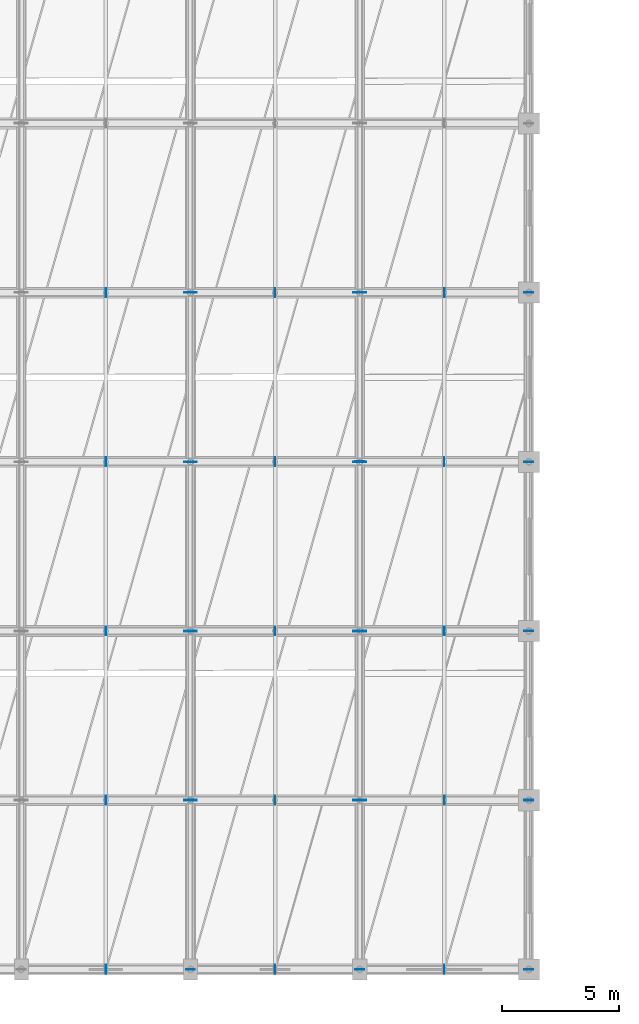
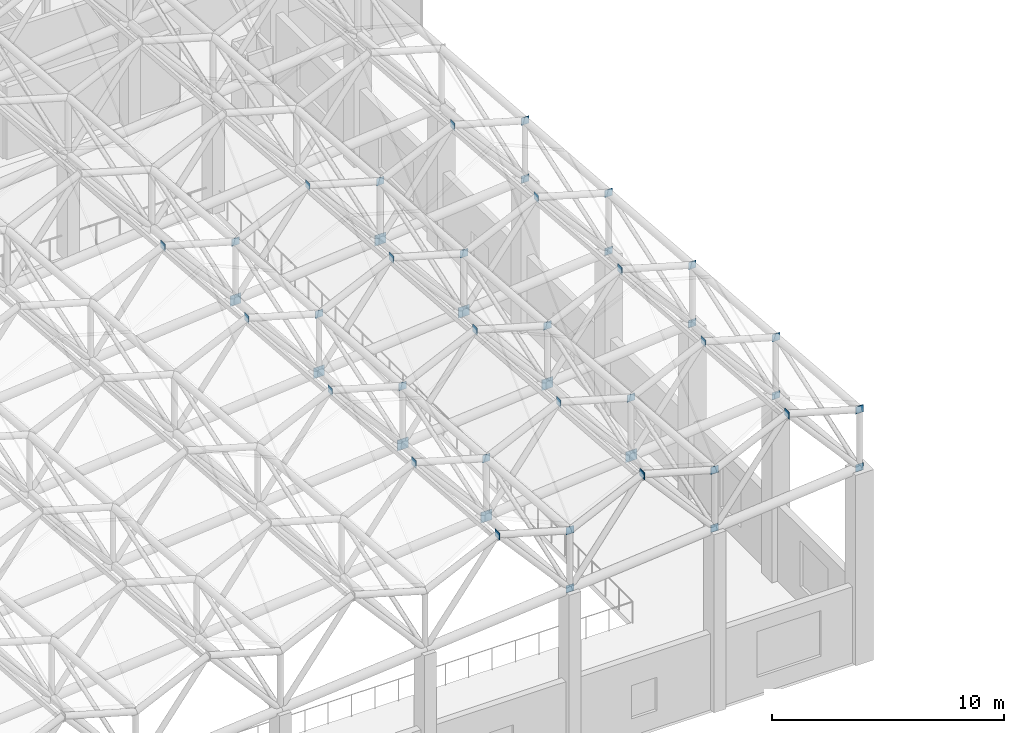
# One storey, part 80 of 113: 45 plates.
"""IFC4 building model written with IfcOpenShell, lengths in metres."""

from ifc_helpers import new_model, si_unit, direction, frame, origin, origin_2d, place, context, subcontext, project, spatial, rectangle, extrude, material, layer, layer_set, type_object, element, save


model = new_model("IFC4")

# Units and contexts
model_context = context("Model", 3, precision=1e-05, world=origin(), true_north=direction((0.0, 1.0)))
body_context = subcontext(model_context, "Body", "Model", "MODEL_VIEW")
ifc_project = project(units=[si_unit("LENGTHUNIT", "METRE"), si_unit("AREAUNIT", "SQUARE_METRE"), si_unit("VOLUMEUNIT", "CUBIC_METRE"), si_unit("PLANEANGLEUNIT", "RADIAN"), si_unit("MASSUNIT", "GRAM", prefix="KILO")], contexts=[model_context])

# Site, building, storey
site_placement = place(None, origin())
site = spatial("IfcSite", under=ifc_project, at=site_placement, CompositionType="ELEMENT")
building_placement = place(site_placement, origin())
building = spatial("IfcBuilding", under=site, at=building_placement, Name="Carrowvane Square Congress Hotel", CompositionType="ELEMENT")
storey_placement = place(building_placement, frame((0.0, 0.0, 15.0)))
storey = spatial("IfcBuildingStorey", under=building, at=storey_placement, Name="L03", CompositionType="ELEMENT", Elevation=15.0)

# Plates
ifc_material_1 = material(Name="Steel S355", Category="steel")
ifc_layer_1 = layer(ifc_material_1, 0.02001953125)
ifc_layer_set_1 = layer_set([ifc_layer_1], Name="Steel S355")
plate_type_1 = type_object("IfcPlateType", Name="PLT-GUS-20", PredefinedType="SHEET", material=ifc_layer_set_1)
for number, where, z_axis, x_axis, name in (
    (1, (47.60009765625, 27.0, 6.71630859375), (0.0, 0.0, 1.0), (1.0, 0.0, 0.0), "Space-frame truss node gusset SN-27"),
    (2, (54.800048828125, 27.0, 7.37353515625), (0.0, 0.0, 1.0), (1.0, 0.0, 0.0), "Space-frame truss node gusset SN-33"),
):
    element("IfcPlate", number, at=place(storey_placement, frame(where, z_axis=z_axis, x_axis=x_axis)), inside=storey, type_object=plate_type_1, Name=name, PredefinedType="SHEET", context=body_context, shape_type="SweptSolid", body=[
        extrude(rectangle(XDim=0.550048828125, YDim=0.02001953125, at=origin_2d()), origin(), (0.0, 0.0, 1.0), 0.550048828125),
    ])
for number, where, z_axis, x_axis, name in (
    (3, (47.60009765625, 12.60009765625, 10.994384765625), (0.0, 0.0, 1.0), (1.0, 0.0, 0.0), "L03 brace connection end plate 48"),
    (4, (47.60009765625, 34.199951171875, 9.280029296875), (0.0, 0.0, 1.0), (1.0, 0.0, 0.0), "L03 brace connection end plate 51"),
    (5, (54.800048828125, 19.800048828125, 11.080078125), (0.0, 0.0, 1.0), (1.0, 0.0, 0.0), "L03 brace connection end plate 57"),
    (6, (62.0, 5.39990234375, 9.830078125), (0.0, 0.0, 1.0), (1.0, 0.0, 0.0), "L03 brace connection end plate 63"),
    (7, (62.0, 19.800048828125, 11.737060546875), (0.0, 0.0, 1.0), (1.0, 0.0, 0.0), "L03 brace connection end plate 66"),
    (8, (62.0, 27.0, 8.11572265625), (0.0, 0.0, 1.0), (1.0, 0.0, 0.0), "L03 brace connection end plate 69"),
):
    element("IfcPlate", number, at=place(storey_placement, frame(where, z_axis=z_axis, x_axis=x_axis)), inside=storey, type_object=plate_type_1, Name=name, PredefinedType="SHEET", context=body_context, shape_type="SweptSolid", body=[
        extrude(rectangle(XDim=0.3798828125, YDim=0.02001953125, at=origin_2d()), origin(), (0.0, 0.0, 1.0), 0.3798828125),
    ])
for number, where, z_axis, x_axis, name in (
    (9, (44.0, 5.39990234375, 12.59716796875), (0.0, 0.0, 1.0), (1.0, 0.0, 0.0), "L03 brace connection end plate 81"),
    (10, (58.39990234375, 12.60009765625, 13.340087890625), (0.0, 0.0, 1.0), (1.0, 0.0, 0.0), "L03 brace connection end plate 90"),
    (11, (51.199951171875, 19.800048828125, 12.111572265625), (0.0, 0.0, 1.0), (1.0, 0.0, 0.0), "L03 brace connection end plate 96"),
    (12, (44.0, 27.0, 10.883056640625), (0.0, 0.0, 1.0), (1.0, 0.0, 0.0), "L03 brace connection end plate 102"),
    (13, (58.39990234375, 34.199951171875, 11.625732421875), (0.0, 0.0, 1.0), (1.0, 0.0, 0.0), "L03 brace connection end plate 111"),
):
    element("IfcPlate", number, at=place(storey_placement, frame(where, z_axis=z_axis, x_axis=x_axis)), inside=storey, type_object=plate_type_1, Name=name, PredefinedType="SHEET", context=body_context, shape_type="SweptSolid", body=[
        extrude(rectangle(XDim=0.02001953125, YDim=0.3798828125, at=origin_2d()), origin(), (0.0, 0.0, 1.0), 0.3798828125),
    ])
plate_1_placement = place(storey_placement, frame((54.800048828125, 5.39990234375, 12.222900390625), z_axis=(0.0, 0.0, 1.0), x_axis=(1.0, 0.0, 0.0)))
element("IfcPlate", 14, at=plate_1_placement, inside=storey, type_object=plate_type_1, Name="L03 brace connection end plate 147", PredefinedType="SHEET", context=body_context, shape_type="SweptSolid", body=[
    extrude(rectangle(XDim=0.3798828125, YDim=0.02001953125, at=origin_2d()), origin(), (0.0, 0.0, 1.0), 0.3798828125),
])
ifc_material_2 = material(Name="Steel S355", Category="steel")
ifc_layer_2 = layer(ifc_material_2, 0.030029296875)
ifc_layer_set_2 = layer_set([ifc_layer_2], Name="Steel S355")
plate_type_2 = type_object("IfcPlateType", Name="PLT-GUS-30", PredefinedType="USERDEFINED", material=ifc_layer_set_2)
for number, where, z_axis, x_axis, name in (
    (15, (47.60009765625, 12.60009765625, 7.859375), (0.0, 0.0, 1.0), (1.0, 0.0, 0.0), "Space-frame truss node gusset SN-25"),
    (16, (47.60009765625, 34.199951171875, 6.14501953125), (0.0, 0.0, 1.0), (1.0, 0.0, 0.0), "Space-frame truss node gusset SN-28"),
    (17, (54.800048828125, 12.60009765625, 8.5166015625), (0.0, 0.0, 1.0), (1.0, 0.0, 0.0), "Space-frame truss node gusset SN-31"),
    (18, (54.800048828125, 34.199951171875, 6.80224609375), (0.0, 0.0, 1.0), (1.0, 0.0, 0.0), "Space-frame truss node gusset SN-34"),
):
    element("IfcPlate", number, at=place(storey_placement, frame(where, z_axis=z_axis, x_axis=x_axis)), inside=storey, type_object=plate_type_2, Name=name, ObjectType="GUSSET PLATE", PredefinedType="USERDEFINED", context=body_context, shape_type="SweptSolid", body=[
        extrude(rectangle(XDim=0.550048828125, YDim=0.030029296875, at=origin_2d()), origin(), (0.0, 0.0, 1.0), 0.550048828125),
    ])
for number, where, z_axis, x_axis, name in (
    (19, (47.60009765625, 19.800048828125, 10.4228515625), (0.0, 0.0, 1.0), (1.0, 0.0, 0.0), "L03 brace connection end plate 49"),
    (20, (54.800048828125, 5.39990234375, 9.1728515625), (0.0, 0.0, 1.0), (1.0, 0.0, 0.0), "L03 brace connection end plate 55"),
    (21, (54.800048828125, 27.0, 10.508544921875), (0.0, 0.0, 1.0), (1.0, 0.0, 0.0), "L03 brace connection end plate 58"),
    (22, (62.0, 12.60009765625, 12.30859375), (0.0, 0.0, 1.0), (1.0, 0.0, 0.0), "L03 brace connection end plate 64"),
    (23, (62.0, 19.800048828125, 8.687255859375), (0.0, 0.0, 1.0), (1.0, 0.0, 0.0), "L03 brace connection end plate 67"),
    (24, (62.0, 34.199951171875, 10.59423828125), (0.0, 0.0, 1.0), (1.0, 0.0, 0.0), "L03 brace connection end plate 70"),
):
    element("IfcPlate", number, at=place(storey_placement, frame(where, z_axis=z_axis, x_axis=x_axis)), inside=storey, type_object=plate_type_2, Name=name, ObjectType="GUSSET PLATE", PredefinedType="USERDEFINED", context=body_context, shape_type="SweptSolid", body=[
        extrude(rectangle(XDim=0.3798828125, YDim=0.030029296875, at=origin_2d()), origin(), (0.0, 0.0, 1.0), 0.3798828125),
    ])
for number, where, z_axis, x_axis, name in (
    (25, (51.199951171875, 5.39990234375, 13.25439453125), (0.0, 0.0, 1.0), (1.0, 0.0, 0.0), "L03 brace connection end plate 82"),
    (26, (44.0, 12.60009765625, 12.02587890625), (0.0, 0.0, 1.0), (1.0, 0.0, 0.0), "L03 brace connection end plate 88"),
    (27, (58.39990234375, 19.800048828125, 12.7685546875), (0.0, 0.0, 1.0), (1.0, 0.0, 0.0), "L03 brace connection end plate 97"),
    (28, (51.199951171875, 27.0, 11.5400390625), (0.0, 0.0, 1.0), (1.0, 0.0, 0.0), "L03 brace connection end plate 103"),
    (29, (44.0, 34.199951171875, 10.3115234375), (0.0, 0.0, 1.0), (1.0, 0.0, 0.0), "L03 brace connection end plate 109"),
):
    element("IfcPlate", number, at=place(storey_placement, frame(where, z_axis=z_axis, x_axis=x_axis)), inside=storey, type_object=plate_type_2, Name=name, ObjectType="GUSSET PLATE", PredefinedType="USERDEFINED", context=body_context, shape_type="SweptSolid", body=[
        extrude(rectangle(XDim=0.030029296875, YDim=0.3798828125, at=origin_2d()), origin(), (0.0, 0.0, 1.0), 0.3798828125),
    ])
plate_2_placement = place(storey_placement, frame((62.0, 5.39990234375, 12.880126953125), z_axis=(0.0, 0.0, 1.0), x_axis=(1.0, 0.0, 0.0)))
element("IfcPlate", 30, at=plate_2_placement, inside=storey, type_object=plate_type_2, Name="L03 brace connection end plate 148", ObjectType="GUSSET PLATE", PredefinedType="USERDEFINED", context=body_context, shape_type="SweptSolid", body=[
    extrude(rectangle(XDim=0.3798828125, YDim=0.030029296875, at=origin_2d()), origin(), (0.0, 0.0, 1.0), 0.3798828125),
])
ifc_material_3 = material(Name="Steel S355", Category="steel")
ifc_layer_3 = layer(ifc_material_3, 0.0400390625)
ifc_layer_set_3 = layer_set([ifc_layer_3], Name="Steel S355")
plate_type_3 = type_object("IfcPlateType", Name="PLT-GUS-40", PredefinedType="USERDEFINED", material=ifc_layer_set_3)
for number, where, z_axis, x_axis, name in (
    (31, (47.60009765625, 19.800048828125, 7.28759765625), (0.0, 0.0, 1.0), (1.0, 0.0, 0.0), "Space-frame truss node gusset SN-26"),
    (32, (54.800048828125, 19.800048828125, 7.94482421875), (0.0, 0.0, 1.0), (1.0, 0.0, 0.0), "Space-frame truss node gusset SN-32"),
):
    element("IfcPlate", number, at=place(storey_placement, frame(where, z_axis=z_axis, x_axis=x_axis)), inside=storey, type_object=plate_type_3, Name=name, ObjectType="GUSSET PLATE", PredefinedType="USERDEFINED", context=body_context, shape_type="SweptSolid", body=[
        extrude(rectangle(XDim=0.550048828125, YDim=0.0400390625, at=origin_2d()), origin(), (0.0, 0.0, 1.0), 0.550048828125),
    ])
ifc_material_4 = material(Name="Steel S355", Category="steel")
ifc_layer_4 = layer(ifc_material_4, 0.01611328125)
ifc_layer_set_4 = layer_set([ifc_layer_4], Name="Steel S355")
plate_type_4 = type_object("IfcPlateType", Name="PLT-STF-16", PredefinedType="USERDEFINED", material=ifc_layer_set_4)
for number, where, z_axis, x_axis, name in (
    (33, (47.60009765625, 5.39990234375, 8.515869140625), (0.0, 0.0, 1.0), (1.0, 0.0, 0.0), "L03 brace connection end plate 47"),
    (34, (47.60009765625, 27.0, 9.8515625), (0.0, 0.0, 1.0), (1.0, 0.0, 0.0), "L03 brace connection end plate 50"),
    (35, (54.800048828125, 12.60009765625, 11.6513671875), (0.0, 0.0, 1.0), (1.0, 0.0, 0.0), "L03 brace connection end plate 56"),
    (36, (54.800048828125, 34.199951171875, 9.937255859375), (0.0, 0.0, 1.0), (1.0, 0.0, 0.0), "L03 brace connection end plate 59"),
    (37, (62.0, 12.60009765625, 9.258544921875), (0.0, 0.0, 1.0), (1.0, 0.0, 0.0), "L03 brace connection end plate 65"),
    (38, (62.0, 27.0, 11.165771484375), (0.0, 0.0, 1.0), (1.0, 0.0, 0.0), "L03 brace connection end plate 68"),
    (39, (62.0, 34.199951171875, 7.54443359375), (0.0, 0.0, 1.0), (1.0, 0.0, 0.0), "L03 brace connection end plate 71"),
):
    element("IfcPlate", number, at=place(storey_placement, frame(where, z_axis=z_axis, x_axis=x_axis)), inside=storey, type_object=plate_type_4, Name=name, ObjectType="STIFFENER PLATE", PredefinedType="USERDEFINED", context=body_context, shape_type="SweptSolid", body=[
        extrude(rectangle(XDim=0.3798828125, YDim=0.01611328125, at=origin_2d()), origin(), (0.0, 0.0, 1.0), 0.3798828125),
    ])
for number, where, z_axis, x_axis, name in (
    (40, (58.39990234375, 5.39990234375, 13.911376953125), (0.0, 0.0, 1.0), (1.0, 0.0, 0.0), "L03 brace connection end plate 83"),
    (41, (51.199951171875, 12.60009765625, 12.682861328125), (0.0, 0.0, 1.0), (1.0, 0.0, 0.0), "L03 brace connection end plate 89"),
    (42, (44.0, 19.800048828125, 11.454345703125), (0.0, 0.0, 1.0), (1.0, 0.0, 0.0), "L03 brace connection end plate 95"),
    (43, (58.39990234375, 27.0, 12.197265625), (0.0, 0.0, 1.0), (1.0, 0.0, 0.0), "L03 brace connection end plate 104"),
    (44, (51.199951171875, 34.199951171875, 10.96875), (0.0, 0.0, 1.0), (1.0, 0.0, 0.0), "L03 brace connection end plate 110"),
):
    element("IfcPlate", number, at=place(storey_placement, frame(where, z_axis=z_axis, x_axis=x_axis)), inside=storey, type_object=plate_type_4, Name=name, ObjectType="STIFFENER PLATE", PredefinedType="USERDEFINED", context=body_context, shape_type="SweptSolid", body=[
        extrude(rectangle(XDim=0.01611328125, YDim=0.3798828125, at=origin_2d()), origin(), (0.0, 0.0, 1.0), 0.3798828125),
    ])
plate_3_placement = place(storey_placement, frame((47.60009765625, 5.39990234375, 11.565673828125), z_axis=(0.0, 0.0, 1.0), x_axis=(1.0, 0.0, 0.0)))
element("IfcPlate", 45, at=plate_3_placement, inside=storey, type_object=plate_type_4, Name="L03 brace connection end plate 146", ObjectType="STIFFENER PLATE", PredefinedType="USERDEFINED", context=body_context, shape_type="SweptSolid", body=[
    extrude(rectangle(XDim=0.3798828125, YDim=0.01611328125, at=origin_2d()), origin(), (0.0, 0.0, 1.0), 0.3798828125),
])

save(model, "model.ifc")
